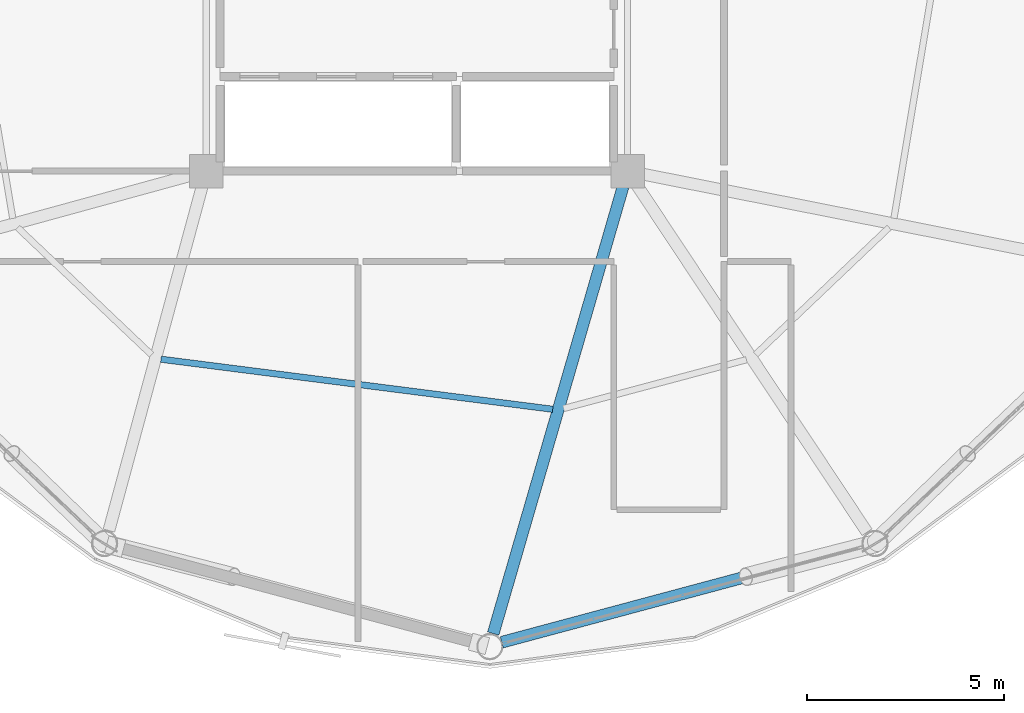
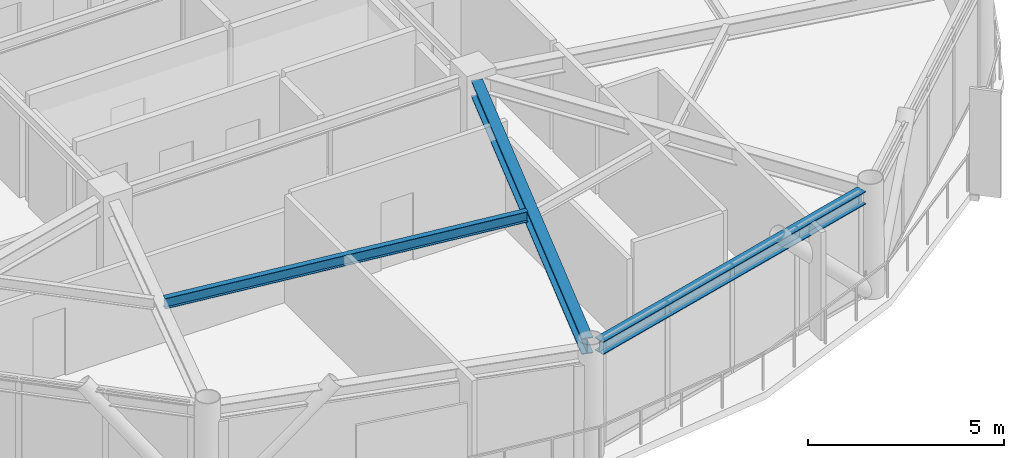
# One storey, part 8 of 29: 3 beams.
"""IFC4 building model written with IfcOpenShell, lengths in metres."""

import ifcopenshell
import ifcopenshell.guid

model = None  # the IFC model being written
_history = None  # IfcOwnerHistory: only IFC2X3 demands one
_inside = {}  # id of a spatial element -> (the spatial element, [elements in it])
_under = {}  # id of a project, library or spatial element -> (it, [spatial elements below it])
_declared = {}  # id of a project -> (the project, [libraries it declares])
_typed = {}  # id of a type object -> (the type object, [elements of that type])
_made_of = {}  # id of a material, layer set ... -> (it, [elements and type objects made of it])


def new_model(schema):
    """Start an empty IFC model of exactly this schema.

    Asked for "IFC4X3", IfcOpenShell would pick the latest addendum, in which some entities
    have other attributes; the version numbers below select the first issue.
    IFC2X3 requires an IfcOwnerHistory on every rooted entity: one is made here for all.
    """
    global model, _history
    if schema == "IFC4X3":
        model = ifcopenshell.file(schema_version=(4, 3, 0, 0))
    else:
        model = ifcopenshell.file(schema=schema)
    _inside.clear()
    _under.clear()
    _declared.clear()
    _typed.clear()
    _made_of.clear()
    _history = None
    if model.schema == "IFC2X3":
        org = make("IfcOrganization", Name="unknown")
        user = make(
            "IfcPersonAndOrganization",
            ThePerson=make("IfcPerson", FamilyName="unknown"),
            TheOrganization=org,
        )
        app = make(
            "IfcApplication",
            ApplicationDeveloper=org,
            Version="unknown",
            ApplicationFullName="unknown",
            ApplicationIdentifier="unknown",
        )
        _history = make(
            "IfcOwnerHistory",
            OwningUser=user,
            OwningApplication=app,
            ChangeAction="ADDED",
            CreationDate=0,
        )
    return model


def make(cls, **values):
    """One entity of the class cls with the attributes given. An attribute that is None is left unset."""
    return model.create_entity(
        cls, **{name: value for name, value in values.items() if value is not None}
    )


def rooted(cls, **values):
    """An entity with a GlobalId (a new one), such as an element, a storey or a relation."""
    return make(cls, GlobalId=ifcopenshell.guid.new(), OwnerHistory=_history, **values)


def si_unit(unit_type, name, prefix=None):
    """IfcSIUnit, for example si_unit("LENGTHUNIT", "METRE", prefix="MILLI")."""
    return make("IfcSIUnit", UnitType=unit_type, Prefix=prefix, Name=name)


def assignment(units):
    """IfcUnitAssignment: the units of a project."""
    return None if units is None else make("IfcUnitAssignment", Units=units)


def point(xyz):
    """IfcCartesianPoint."""
    return None if xyz is None else make("IfcCartesianPoint", Coordinates=xyz)


def direction(xyz):
    """IfcDirection."""
    return None if xyz is None else make("IfcDirection", DirectionRatios=xyz)


def frame(location, z_axis=None, x_axis=None):
    """IfcAxis2Placement3D, a coordinate frame: its origin and axes. An axis left out is left unset."""
    return make(
        "IfcAxis2Placement3D",
        Location=point(location),
        Axis=direction(z_axis),
        RefDirection=direction(x_axis),
    )


def frame_2d(location, x_axis=None):
    """IfcAxis2Placement2D, a coordinate frame in the plane: its origin and x axis."""
    return make(
        "IfcAxis2Placement2D", Location=point(location), RefDirection=direction(x_axis)
    )


def origin():
    """The frame at (0, 0, 0) with its axes left unset."""
    return frame((0.0, 0.0, 0.0))


def origin_2d():
    """The frame at (0, 0) in the plane with its x axis left unset."""
    return frame_2d((0.0, 0.0))


def place(relative_to, where):
    """IfcLocalPlacement: puts the frame where relative to a parent placement (None: the world)."""
    return make(
        "IfcLocalPlacement", PlacementRelTo=relative_to, RelativePlacement=where
    )


def context(
    kind, dimensions, precision=None, world=None, true_north=None, identifier=None
):
    """IfcGeometricRepresentationContext, for example the 3D "Model" context."""
    return make(
        "IfcGeometricRepresentationContext",
        ContextIdentifier=identifier,
        ContextType=kind,
        CoordinateSpaceDimension=dimensions,
        Precision=precision,
        WorldCoordinateSystem=world,
        TrueNorth=true_north,
    )


def subcontext(parent, identifier, kind, view, scale=None):
    """IfcGeometricRepresentationSubContext, for example "Body" below "Model"."""
    return make(
        "IfcGeometricRepresentationSubContext",
        ContextIdentifier=identifier,
        ContextType=kind,
        ParentContext=parent,
        TargetScale=scale,
        TargetView=view,
    )


def project(units=None, contexts=None):
    """IfcProject with its units and contexts."""
    return rooted(
        "IfcProject",
        Name="project",
        RepresentationContexts=contexts,
        UnitsInContext=assignment(units),
    )


def spatial(cls, under=None, at=None, **own):
    """A site, building, storey or space (cls), placed at a placement, below another one or the project."""
    s = rooted(cls, ObjectPlacement=at, **own)
    if under is not None:
        _under.setdefault(under.id(), (under, []))[1].append(s)
    return s


def profile(cls, at=None, kind="AREA", **sizes):
    """A parametric profile (cls). Its sizes go by their IFC names, for example OverallWidth=200.0."""
    return make(cls, ProfileType=kind, Position=at, **sizes)


def i_section(**sizes):
    """IfcIShapeProfileDef."""
    return profile("IfcIShapeProfileDef", **sizes)


def extrude(swept, where, along, depth):
    """IfcExtrudedAreaSolid: the profile swept, set in the frame where, extruded along a direction by depth."""
    return make(
        "IfcExtrudedAreaSolid",
        SweptArea=swept,
        Position=where,
        ExtrudedDirection=direction(along),
        Depth=depth,
    )


def shape(context_of_items, identifier, shape_type, items):
    """IfcShapeRepresentation: the items that make up one representation, for example the "Body"."""
    return make(
        "IfcShapeRepresentation",
        ContextOfItems=context_of_items,
        RepresentationIdentifier=identifier,
        RepresentationType=shape_type,
        Items=items,
    )


def material(Name=None, Category=None):
    """IfcMaterial."""
    return make("IfcMaterial", Name=Name, Category=Category)


def material_profile(
    of_material, cross_section, Name=None, Category=None, Priority=None
):
    """IfcMaterialProfile: a cross section and its material."""
    return make(
        "IfcMaterialProfile",
        Name=Name,
        Material=of_material,
        Profile=cross_section,
        Priority=Priority,
        Category=Category,
    )


def profile_set(profiles, Name=None, composite=None):
    """IfcMaterialProfileSet."""
    return make(
        "IfcMaterialProfileSet",
        Name=Name,
        MaterialProfiles=profiles,
        CompositeProfile=composite,
    )


def made_of(thing, what):
    """Note that an element or type object is made of a material, layer set ...; save() writes the relation."""
    if what is not None:
        _made_of.setdefault(what.id(), (what, []))[1].append(thing)
    return thing


def type_object(cls, material=None, **own):
    """A type object (cls), such as IfcWallType, which elements share."""
    return made_of(rooted(cls, **own), material)


def element(
    cls,
    number,
    at=None,
    inside=None,
    cuts=None,
    type_object=None,
    material=None,
    context=None,
    identifier="Body",
    shape_type=None,
    held_by="IfcProductDefinitionShape",
    body=None,
    shapes=None,
    **own,
):
    """One element of the class cls, such as IfcWall. Its Tag is "e" and its number.

    at: its placement. inside: the storey or other place that contains it. cuts: it is an
    opening in that element (IfcRelVoidsElement). A single representation is given by context,
    identifier, shape_type and body (its items); several are given by shapes. held_by: the class
    of the entity that holds the representations. save() writes the other relations.
    """
    e = rooted(cls, Tag="e%d" % number, ObjectPlacement=at, **own)
    if body is not None:
        shapes = [shape(context, identifier, shape_type, body)]
    if shapes is not None:
        e.Representation = make(held_by, Representations=shapes)
    if inside is not None:
        _inside.setdefault(inside.id(), (inside, []))[1].append(e)
    if cuts is not None:
        rooted(
            "IfcRelVoidsElement", RelatingBuildingElement=cuts, RelatedOpeningElement=e
        )
    if type_object is not None:
        _typed.setdefault(type_object.id(), (type_object, []))[1].append(e)
    return made_of(e, material)


def aggregate(whole, parts):
    """IfcRelAggregates: a whole, such as a stair, and the parts it consists of."""
    return rooted("IfcRelAggregates", RelatingObject=whole, RelatedObjects=parts)


def save(model, path):
    """Write the relations noted so far, then the file.

    IfcRelAggregates (storeys below a building ...), IfcRelContainedInSpatialStructure (elements
    in a storey), IfcRelDefinesByType, IfcRelAssociatesMaterial and IfcRelDeclares: one each for
    every whole, place, type object, material and project.
    """
    for whole, parts in _under.values():
        aggregate(whole, parts)
    for where, things in _inside.values():
        rooted(
            "IfcRelContainedInSpatialStructure",
            RelatedElements=things,
            RelatingStructure=where,
        )
    for kind, things in _typed.values():
        rooted("IfcRelDefinesByType", RelatedObjects=things, RelatingType=kind)
    for what, things in _made_of.values():
        rooted("IfcRelAssociatesMaterial", RelatedObjects=things, RelatingMaterial=what)
    for by, libraries in _declared.values():
        rooted("IfcRelDeclares", RelatingContext=by, RelatedDefinitions=libraries)
    model.write(path)


model = new_model("IFC4")

# Units and contexts
model_context = context("Model", 3, precision=1e-05, world=origin(), true_north=direction((0.0, 1.0)))
body_context = subcontext(model_context, "Body", "Model", "MODEL_VIEW")
ifc_project = project(units=[si_unit("LENGTHUNIT", "METRE"), si_unit("AREAUNIT", "SQUARE_METRE"), si_unit("VOLUMEUNIT", "CUBIC_METRE"), si_unit("PLANEANGLEUNIT", "RADIAN"), si_unit("MASSUNIT", "GRAM", prefix="KILO")], contexts=[model_context])

# Site, building, storey
site_placement = place(None, origin())
site = spatial("IfcSite", under=ifc_project, at=site_placement, CompositionType="ELEMENT")
building_placement = place(site_placement, origin())
building = spatial("IfcBuilding", under=site, at=building_placement, Name="Varnakorn Sky Granary", CompositionType="ELEMENT")
storey_placement = place(building_placement, frame((0.0, 0.0, 182.39990234375)))
storey = spatial("IfcBuildingStorey", under=building, at=storey_placement, Name="L45", CompositionType="ELEMENT", Elevation=182.39990234375)

# Beams
ifc_material = material(Name="Steel S355JR", Category="steel")
ifc_material_profile_1 = material_profile(ifc_material, i_section(OverallWidth=0.300048828125, OverallDepth=0.5, WebThickness=0.014404296875, FlangeThickness=0.028076171875, at=origin_2d()), Name="HE 500 B")
ifc_profile_set_1 = profile_set([ifc_material_profile_1], Name="Steel S355JR")
beam_type_1 = type_object("IfcBeamType", Name="BM-RAD-Z4", PredefinedType="BEAM", material=ifc_profile_set_1)
beam_1_placement = place(storey_placement, frame((8.237060546875, -6.989013671875, 3.110107421875), z_axis=(-0.278969264716, -0.960300030899, 0.0), x_axis=(0.960300030899, -0.278969264716, 0.0)))
element("IfcBeam", 1, at=beam_1_placement, inside=storey, type_object=beam_type_1, Name="Radial Floor Girder RG10 L45", PredefinedType="BEAM", context=body_context, shape_type="SweptSolid", body=[
    extrude(i_section(OverallWidth=0.300048828125, OverallDepth=0.5, WebThickness=0.014404296875, FlangeThickness=0.028076171875, at=origin_2d()), origin(), (0.0, 0.0, 1.0), 11.825927734375),
])
ifc_material_profile_2 = material_profile(ifc_material, i_section(OverallWidth=0.159912109375, OverallDepth=0.330078125, WebThickness=0.007568359375, FlangeThickness=0.011474609375, at=origin_2d()), Name="IPE 330")
ifc_profile_set_2 = profile_set([ifc_material_profile_2], Name="Steel S355JR")
beam_type_2 = type_object("IfcBeamType", Name="BM-SEC-Z4", PredefinedType="BEAM", material=ifc_profile_set_2)
beam_2_placement = place(storey_placement, frame((-3.5009765625, -11.377685546875, 3.195068359375), z_axis=(0.991929926767, -0.126787303721, 0.0), x_axis=(0.126787303721, 0.991929926767, 0.0)))
element("IfcBeam", 2, at=beam_2_placement, inside=storey, type_object=beam_type_2, Name="Secondary Floor Chord Beam MSB09 L45", PredefinedType="BEAM", context=body_context, shape_type="SweptSolid", body=[
    extrude(i_section(OverallWidth=0.159912109375, OverallDepth=0.330078125, WebThickness=0.007568359375, FlangeThickness=0.011474609375, at=origin_2d()), origin(), (0.0, 0.0, 1.0), 10.030517578125),
])
ifc_material_profile_3 = material_profile(ifc_material, i_section(OverallWidth=0.300048828125, OverallDepth=0.39990234375, WebThickness=0.013427734375, FlangeThickness=0.02392578125, at=origin_2d()), Name="HE 400 B")
ifc_profile_set_3 = profile_set([ifc_material_profile_3], Name="Steel S355JR")
beam_type_3 = type_object("IfcBeamType", Name="BM-SPD-Z4", PredefinedType="SPANDREL", material=ifc_profile_set_3)
beam_3_placement = place(storey_placement, frame((5.154296875, -18.56640625, 3.16015625), z_axis=(0.965896949724, 0.258926789875, 0.0), x_axis=(-0.258926789875, 0.965896949724, 0.0)))
element("IfcBeam", 3, at=beam_3_placement, inside=storey, type_object=beam_type_3, Name="Perimeter Spandrel Ring Beam RB10 L45", PredefinedType="SPANDREL", context=body_context, shape_type="SweptSolid", body=[
    extrude(i_section(OverallWidth=0.300048828125, OverallDepth=0.39990234375, WebThickness=0.013427734375, FlangeThickness=0.02392578125, at=origin_2d()), origin(), (0.0, 0.0, 1.0), 9.470458984375),
])

save(model, "model.ifc")
